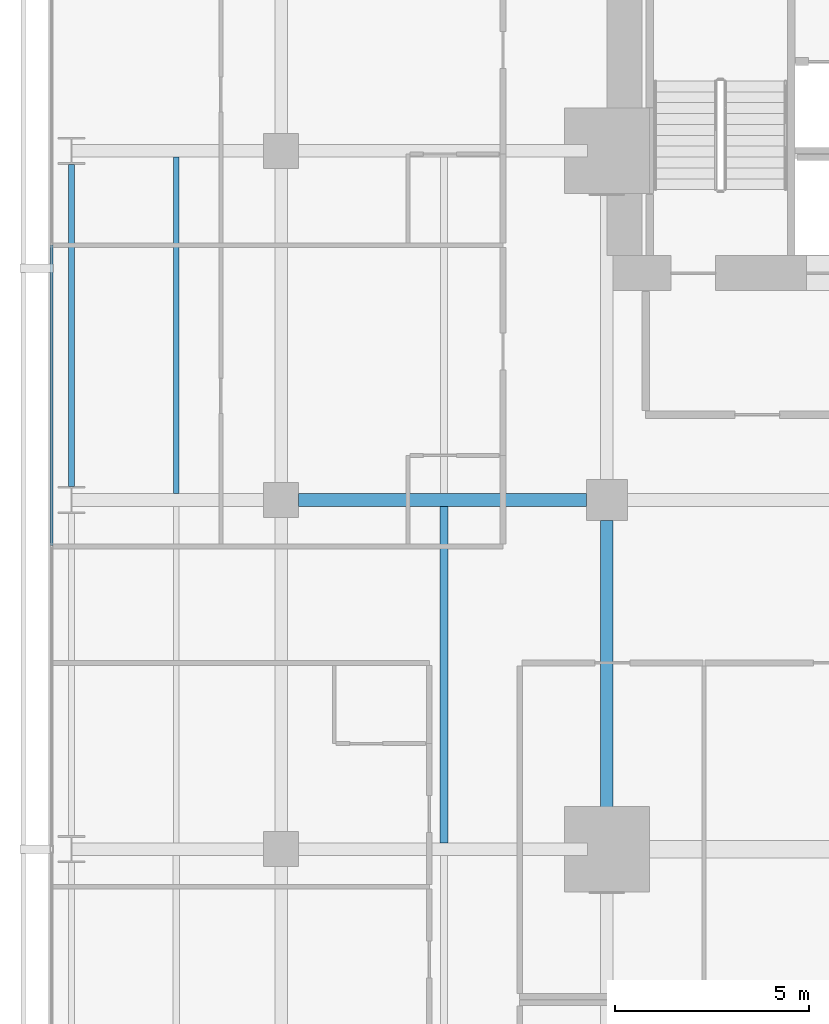
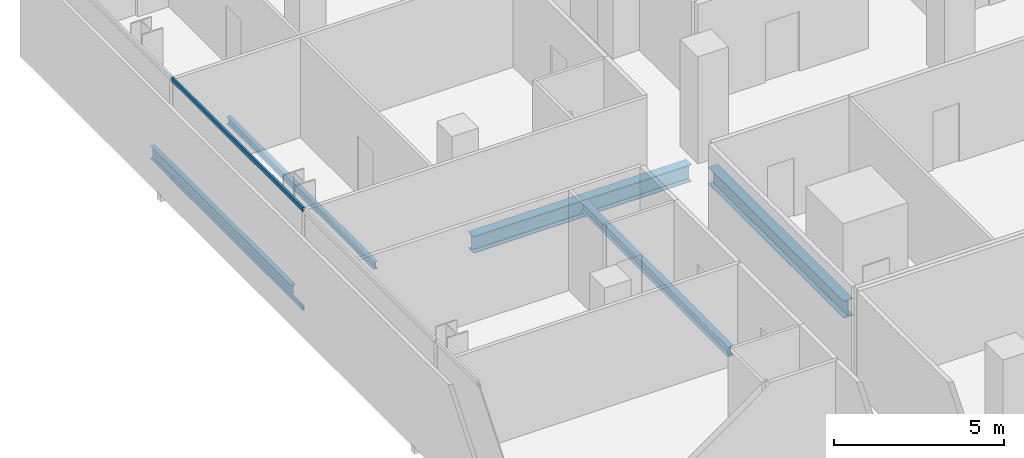
# One storey, part 22 of 40: 5 beams, 2 members, 1 element without a shape of its own.
"""IFC4 building model written with IfcOpenShell, lengths in metres."""

from ifc_helpers import new_model, si_unit, direction, frame, origin, origin_2d, place, context, subcontext, project, spatial, hollow_rectangle, i_section, extrude, material, layer, layer_set, material_profile, profile_set, type_object, element, aggregate, save


model = new_model("IFC4")

# Units and contexts
model_context = context("Model", 3, precision=1e-05, world=origin(), true_north=direction((0.0, 1.0)))
body_context = subcontext(model_context, "Body", "Model", "MODEL_VIEW")
ifc_project = project(units=[si_unit("LENGTHUNIT", "METRE"), si_unit("AREAUNIT", "SQUARE_METRE"), si_unit("VOLUMEUNIT", "CUBIC_METRE"), si_unit("PLANEANGLEUNIT", "RADIAN"), si_unit("MASSUNIT", "GRAM", prefix="KILO")], contexts=[model_context])

# Site, building, storey
site_placement = place(None, origin())
site = spatial("IfcSite", under=ifc_project, at=site_placement, CompositionType="ELEMENT")
building_placement = place(site_placement, origin())
building = spatial("IfcBuilding", under=site, at=building_placement, Name="Maruvema Waterfront Hotel and Observation Tower", CompositionType="ELEMENT")
storey_placement = place(building_placement, frame((0.0, 0.0, 96.25)))
storey = spatial("IfcBuildingStorey", under=building, at=storey_placement, Name="L23", CompositionType="ELEMENT", Elevation=96.25)

# Curtain wall, members
ifc_material_1 = material(Name="Anodised bronze aluminium and solar-control low-E IGU", Category="aluminium")
ifc_layer = layer(ifc_material_1, 0.159912109375, Name="Zone 1 Bronze Inner Thermal Curtain Wall System CW-02")
ifc_layer_set = layer_set([ifc_layer], Name="Anodised bronze aluminium and solar-control low-E IGU")
curtain_wall_type = type_object("IfcCurtainWallType", Name="Zone 1 Bronze Inner Thermal Curtain Wall System CW-02", PredefinedType="USERDEFINED", material=ifc_layer_set)
curtain_wall_placement = place(storey_placement, origin())
curtain_wall = element("IfcCurtainWall", 1, at=curtain_wall_placement, inside=storey, type_object=curtain_wall_type, Name="L23 Curtain Wall CW-L23-W", ObjectType="UNITISED CURTAIN WALL", PredefinedType="USERDEFINED")
ifc_material_2 = material(Name="Anodised architectural bronze aluminium", Category="aluminium")
ifc_material_profile_1 = material_profile(ifc_material_2, hollow_rectangle(XDim=0.070068359375, YDim=0.14990234375, WallThickness=0.00390625, at=origin_2d()), Name="ALU-T70x150")
ifc_profile_set_1 = profile_set([ifc_material_profile_1], Name="Anodised architectural bronze aluminium")
member_type = type_object("IfcMemberType", Name="Curtain Wall Horizontal Transom ALU-T70x150", PredefinedType="USERDEFINED", material=ifc_profile_set_1)
member_1_placement = place(storey_placement, frame((10.8798828125, 42.570068359375, 0.030029296875), z_axis=(0.0, -1.0, 0.0), x_axis=(1.0, 0.0, 0.0)))
member_1 = element("IfcMember", 2, at=member_1_placement, type_object=member_type, Name="CW-02 transom 2.1", ObjectType="TRANSOM", PredefinedType="USERDEFINED", context=body_context, shape_type="SweptSolid", body=[
    extrude(hollow_rectangle(XDim=0.070068359375, YDim=0.14990234375, WallThickness=0.00390625, at=origin_2d()), origin(), (0.0, 0.0, 1.0), 7.739990234375),
])
member_2_placement = place(storey_placement, frame((10.8798828125, 42.570068359375, 3.580078125), z_axis=(0.0, -1.0, 0.0), x_axis=(1.0, 0.0, 0.0)))
member_2 = element("IfcMember", 3, at=member_2_placement, type_object=member_type, Name="CW-02 transom 2.2", ObjectType="TRANSOM", PredefinedType="USERDEFINED", context=body_context, shape_type="SweptSolid", body=[
    extrude(hollow_rectangle(XDim=0.070068359375, YDim=0.14990234375, WallThickness=0.00390625, at=origin_2d()), origin(), (0.0, 0.0, 1.0), 7.739990234375),
])
aggregate(curtain_wall, [member_1, member_2])

# Beams
ifc_material_3 = material(Name="Steel ASTM A572 Grade 50", Category="steel")
ifc_material_profile_2 = material_profile(ifc_material_3, i_section(OverallWidth=0.153076171875, OverallDepth=0.455078125, WebThickness=0.008056640625, FlangeThickness=0.01318359375, FilletRadius=0.014892578125, at=origin_2d()), Name="W460x60.0")
ifc_profile_set_2 = profile_set([ifc_material_profile_2], Name="Steel ASTM A572 Grade 50")
beam_type_1 = type_object("IfcBeamType", Name="Perimeter Spandrel Beam W460x60.0", PredefinedType="SPANDREL", material=ifc_profile_set_2)
beam_1_placement = place(storey_placement, frame((11.39990234375, 36.35009765625, -0.467529296875), z_axis=(0.0, 1.0, 0.0), x_axis=(-1.0, 0.0, 0.0)))
element("IfcBeam", 4, at=beam_1_placement, inside=storey, type_object=beam_type_1, Name="L23 Floor Girder NS-04", PredefinedType="SPANDREL", context=body_context, shape_type="SweptSolid", body=[
    extrude(i_section(OverallWidth=0.153076171875, OverallDepth=0.455078125, WebThickness=0.008056640625, FlangeThickness=0.01318359375, FilletRadius=0.014892578125, at=origin_2d()), origin(), (0.0, 0.0, 1.0), 8.2998046875),
])
ifc_material_4 = material(Name="Steel ASTM A572 Grade 50", Category="steel")
ifc_material_profile_3 = material_profile(ifc_material_4, i_section(OverallWidth=0.323974609375, OverallDepth=0.611083984375, WebThickness=0.0126953125, FlangeThickness=0.01904296875, FilletRadius=0.01806640625, at=origin_2d()), Name="W610x155.0")
ifc_profile_set_3 = profile_set([ifc_material_profile_3], Name="Steel ASTM A572 Grade 50")
beam_type_2 = type_object("IfcBeamType", Name="Primary Floor Girder W610x155.0", PredefinedType="BEAM", material=ifc_profile_set_3)
beam_2_placement = place(storey_placement, frame((17.25, 36.0, -0.54541015625), z_axis=(1.0, 0.0, 0.0), x_axis=(0.0, 1.0, 0.0)))
element("IfcBeam", 5, at=beam_2_placement, inside=storey, type_object=beam_type_2, Name="L23 Floor Girder EW-26", PredefinedType="BEAM", context=body_context, shape_type="SweptSolid", body=[
    extrude(i_section(OverallWidth=0.323974609375, OverallDepth=0.611083984375, WebThickness=0.0126953125, FlangeThickness=0.01904296875, FilletRadius=0.01806640625, at=origin_2d()), origin(), (0.0, 0.0, 1.0), 7.425048828125),
])
beam_3_placement = place(storey_placement, frame((25.199951171875, 27.5, -0.54541015625), z_axis=(0.0, 1.0, 0.0), x_axis=(-1.0, 0.0, 0.0)))
element("IfcBeam", 6, at=beam_3_placement, inside=storey, type_object=beam_type_2, Name="L23 Floor Girder NS-14", PredefinedType="BEAM", context=body_context, shape_type="SweptSolid", body=[
    extrude(i_section(OverallWidth=0.323974609375, OverallDepth=0.611083984375, WebThickness=0.0126953125, FlangeThickness=0.01904296875, FilletRadius=0.01806640625, at=origin_2d()), origin(), (0.0, 0.0, 1.0), 7.97509765625),
])
ifc_material_5 = material(Name="Steel ASTM A572 Grade 50", Category="steel")
ifc_material_profile_4 = material_profile(ifc_material_5, i_section(OverallWidth=0.14599609375, OverallDepth=0.258056640625, WebThickness=0.006103515625, FlangeThickness=0.009033203125, FilletRadius=0.012939453125, at=origin_2d()), Name="W250x32.7")
ifc_profile_set_4 = profile_set([ifc_material_profile_4], Name="Steel ASTM A572 Grade 50")
beam_type_3 = type_object("IfcBeamType", Name="Secondary Floor Joist W250x32.7", PredefinedType="JOIST", material=ifc_profile_set_4)
beam_4_placement = place(storey_placement, frame((14.10009765625, 36.162109375, -0.368896484375), z_axis=(0.0, 1.0, 0.0), x_axis=(-1.0, 0.0, 0.0)))
element("IfcBeam", 7, at=beam_4_placement, inside=storey, type_object=beam_type_3, Name="L23 Secondary Floor Joist JS-04", PredefinedType="JOIST", context=body_context, shape_type="SweptSolid", body=[
    extrude(i_section(OverallWidth=0.14599609375, OverallDepth=0.258056640625, WebThickness=0.006103515625, FlangeThickness=0.009033203125, FilletRadius=0.012939453125, at=origin_2d()), origin(), (0.0, 0.0, 1.0), 8.67578125),
])
ifc_material_6 = material(Name="Steel ASTM A572 Grade 50", Category="steel")
ifc_material_profile_5 = material_profile(ifc_material_6, i_section(OverallWidth=0.202880859375, OverallDepth=0.346923828125, WebThickness=0.0078125, FlangeThickness=0.013427734375, FilletRadius=0.014892578125, at=origin_2d()), Name="W360x64.0")
ifc_profile_set_5 = profile_set([ifc_material_profile_5], Name="Steel ASTM A572 Grade 50")
beam_type_4 = type_object("IfcBeamType", Name="Secondary Floor Joist W360x64.0", PredefinedType="JOIST", material=ifc_profile_set_5)
beam_5_placement = place(storey_placement, frame((21.0, 27.162109375, -0.41357421875), z_axis=(0.0, 1.0, 0.0), x_axis=(-1.0, 0.0, 0.0)))
element("IfcBeam", 8, at=beam_5_placement, inside=storey, type_object=beam_type_4, Name="L23 Secondary Floor Joist JS-08", PredefinedType="JOIST", context=body_context, shape_type="SweptSolid", body=[
    extrude(i_section(OverallWidth=0.202880859375, OverallDepth=0.346923828125, WebThickness=0.0078125, FlangeThickness=0.013427734375, FilletRadius=0.014892578125, at=origin_2d()), origin(), (0.0, 0.0, 1.0), 8.67578125),
])

save(model, "model.ifc")
